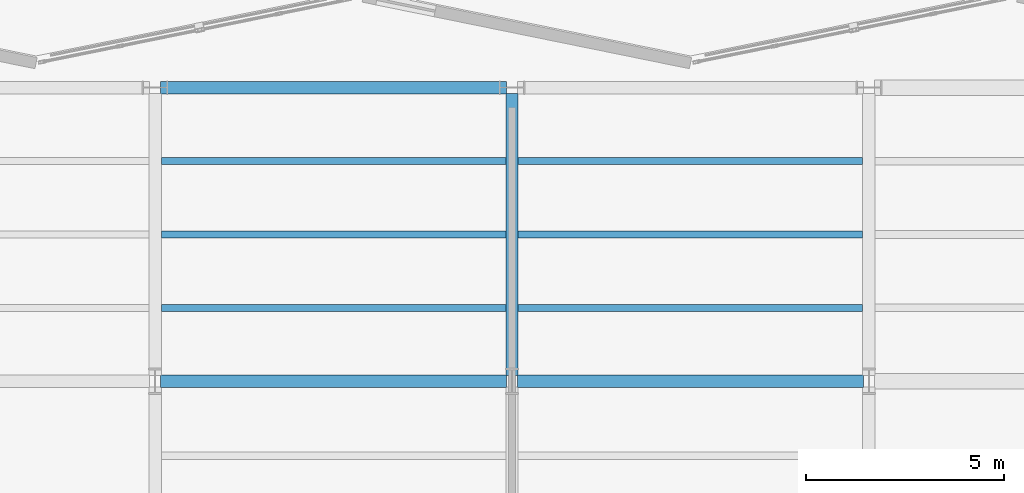
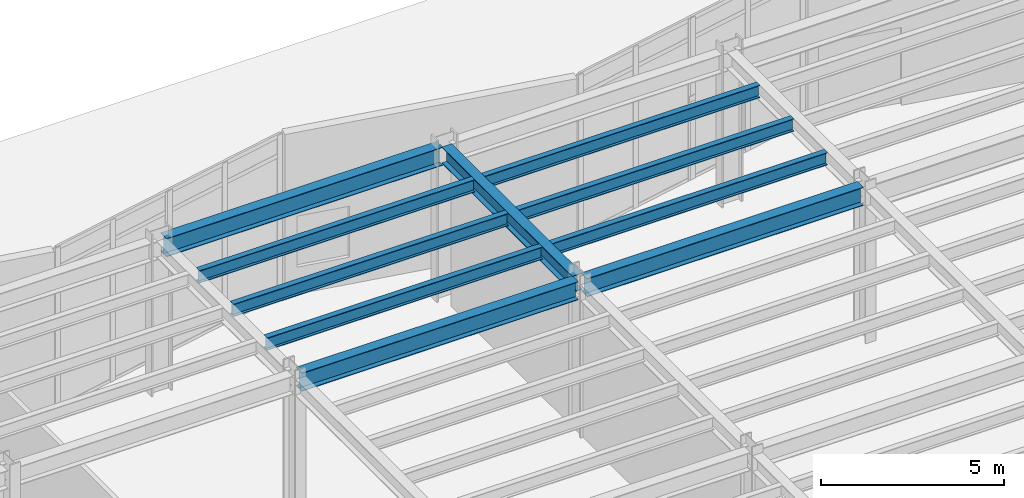
# One storey, part 57 of 94: 10 beams.
"""IFC4 building model written with IfcOpenShell, lengths in metres."""

from ifc_helpers import new_model, si_unit, direction, frame, origin, origin_2d, place, context, subcontext, project, spatial, i_section, extrude, material, material_profile, profile_set, type_object, element, save


model = new_model("IFC4")

# Units and contexts
model_context = context("Model", 3, precision=1e-05, world=origin(), true_north=direction((0.0, 1.0)))
body_context = subcontext(model_context, "Body", "Model", "MODEL_VIEW")
ifc_project = project(units=[si_unit("LENGTHUNIT", "METRE"), si_unit("AREAUNIT", "SQUARE_METRE"), si_unit("VOLUMEUNIT", "CUBIC_METRE"), si_unit("PLANEANGLEUNIT", "RADIAN"), si_unit("MASSUNIT", "GRAM", prefix="KILO")], contexts=[model_context])

# Site, building, storey
site_placement = place(None, origin())
site = spatial("IfcSite", under=ifc_project, at=site_placement, CompositionType="ELEMENT")
building_placement = place(site_placement, origin())
building = spatial("IfcBuilding", under=site, at=building_placement, Name="Sollismere Congress Hotel", CompositionType="ELEMENT")
storey_placement = place(building_placement, origin())
storey = spatial("IfcBuildingStorey", under=building, at=storey_placement, Name="L00", CompositionType="ELEMENT", Elevation=0.0)

# Beams
ifc_material = material(Name="Steel ASTM A992 Grade 50", Category="steel")
ifc_material_profile_1 = material_profile(ifc_material, i_section(OverallWidth=0.31494140625, OverallDepth=0.551025390625, WebThickness=0.01513671875, FlangeThickness=0.0244140625, at=origin_2d()), Name="W21X122")
ifc_profile_set_1 = profile_set([ifc_material_profile_1], Name="Steel ASTM A992 Grade 50")
beam_type_1 = type_object("IfcBeamType", Name="BM-G21H", PredefinedType="BEAM", material=ifc_profile_set_1)
beam_placement = place(storey_placement, frame((103.0, 95.139892578125, 4.839599609375), z_axis=(0.0, 1.0, 0.0), x_axis=(-1.0, 0.0, 0.0)))
element("IfcBeam", 1, at=beam_placement, inside=storey, type_object=beam_type_1, Name="Beam BM-L00-1274", PredefinedType="BEAM", context=body_context, shape_type="SweptSolid", body=[
    extrude(i_section(OverallWidth=0.31494140625, OverallDepth=0.551025390625, WebThickness=0.01513671875, FlangeThickness=0.0244140625, at=origin_2d()), origin(), (0.0, 0.0, 1.0), 7.1201171875),
])
ifc_material_profile_2 = material_profile(ifc_material, i_section(OverallWidth=0.324951171875, OverallDepth=0.612060546875, WebThickness=0.0126953125, FlangeThickness=0.01904296875, at=origin_2d()), Name="W24X104")
ifc_profile_set_2 = profile_set([ifc_material_profile_2], Name="Steel ASTM A992 Grade 50")
beam_type_2 = type_object("IfcBeamType", Name="BM-G24", PredefinedType="BEAM", material=ifc_profile_set_2)
for number, where, z_axis, x_axis, name in (
    (2, (94.139892578125, 95.0, 4.80908203125), (1.0, 0.0, 0.0), (0.0, 1.0, 0.0), "Beam BM-L00-1213"),
    (3, (103.139892578125, 95.0, 4.80908203125), (1.0, 0.0, 0.0), (0.0, 1.0, 0.0), "Beam BM-L00-1214"),
    (4, (94.139892578125, 102.39990234375, 4.80908203125), (1.0, 0.0, 0.0), (0.0, 1.0, 0.0), "Beam BM-L00-1220"),
):
    element("IfcBeam", number, at=place(storey_placement, frame(where, z_axis=z_axis, x_axis=x_axis)), inside=storey, type_object=beam_type_2, Name=name, PredefinedType="BEAM", context=body_context, shape_type="SweptSolid", body=[
        extrude(i_section(OverallWidth=0.324951171875, OverallDepth=0.612060546875, WebThickness=0.0126953125, FlangeThickness=0.01904296875, at=origin_2d()), origin(), (0.0, 0.0, 1.0), 8.72021484375),
    ])
ifc_material_profile_3 = material_profile(ifc_material, i_section(OverallWidth=0.180908203125, OverallDepth=0.4169921875, WebThickness=0.010986328125, FlangeThickness=0.018310546875, at=origin_2d()), Name="W16X57")
ifc_profile_set_3 = profile_set([ifc_material_profile_3], Name="Steel ASTM A992 Grade 50")
beam_type_3 = type_object("IfcBeamType", Name="BM-J16", PredefinedType="JOIST", material=ifc_profile_set_3)
for number, where, z_axis, x_axis, name in (
    (5, (94.157470703125, 96.85009765625, 4.906494140625), (1.0, 0.0, 0.0), (0.0, 1.0, 0.0), "Beam BM-L00-1409"),
    (6, (94.157470703125, 98.699951171875, 4.906494140625), (1.0, 0.0, 0.0), (0.0, 1.0, 0.0), "Beam BM-L00-1410"),
    (7, (94.157470703125, 100.550048828125, 4.906494140625), (1.0, 0.0, 0.0), (0.0, 1.0, 0.0), "Beam BM-L00-1411"),
    (8, (103.157470703125, 96.85009765625, 4.906494140625), (1.0, 0.0, 0.0), (0.0, 1.0, 0.0), "Beam BM-L00-1424"),
    (9, (103.157470703125, 98.699951171875, 4.906494140625), (1.0, 0.0, 0.0), (0.0, 1.0, 0.0), "Beam BM-L00-1425"),
    (10, (103.157470703125, 100.550048828125, 4.906494140625), (1.0, 0.0, 0.0), (0.0, 1.0, 0.0), "Beam BM-L00-1426"),
):
    element("IfcBeam", number, at=place(storey_placement, frame(where, z_axis=z_axis, x_axis=x_axis)), inside=storey, type_object=beam_type_3, Name=name, PredefinedType="JOIST", context=body_context, shape_type="SweptSolid", body=[
        extrude(i_section(OverallWidth=0.180908203125, OverallDepth=0.4169921875, WebThickness=0.010986328125, FlangeThickness=0.018310546875, at=origin_2d()), origin(), (0.0, 0.0, 1.0), 8.68505859375),
    ])

save(model, "model.ifc")
